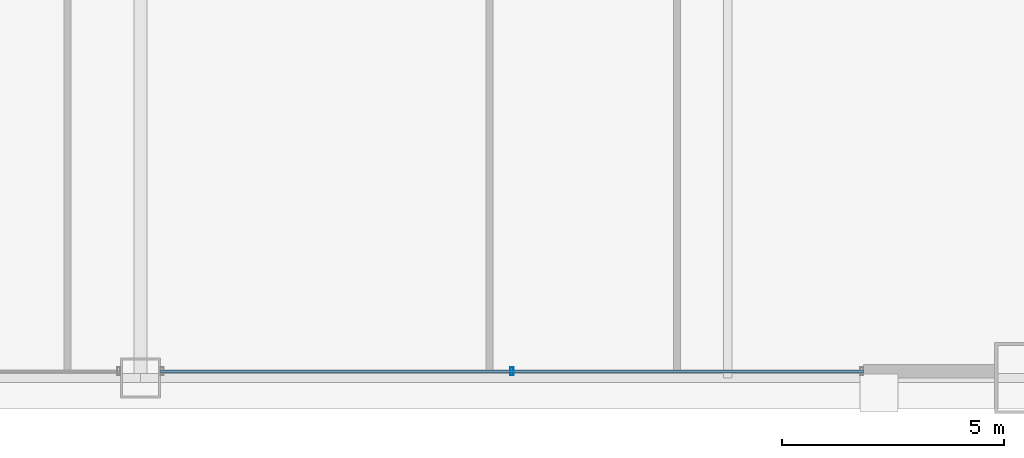
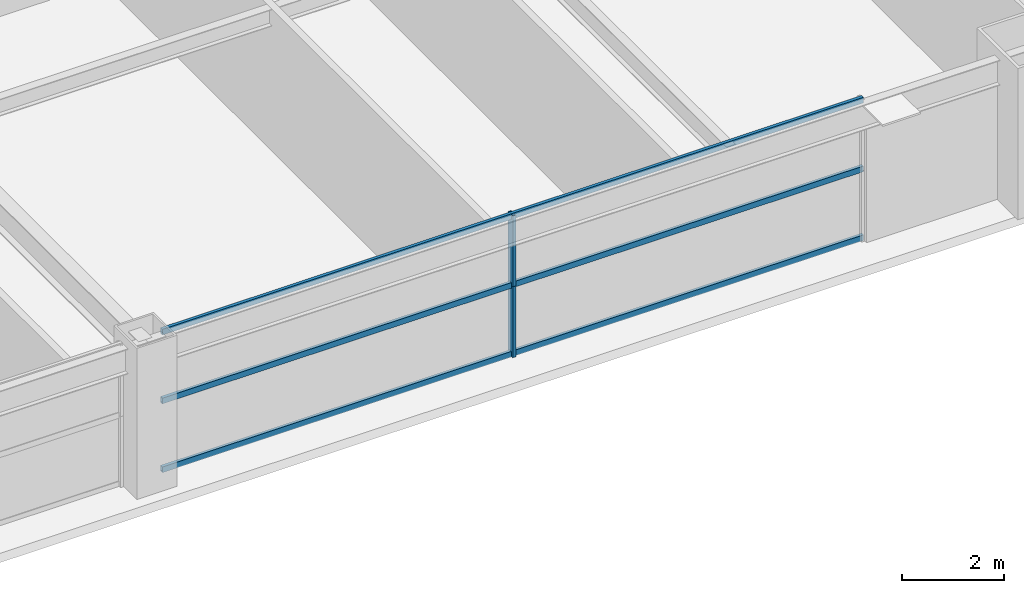
# One storey, part 14 of 39: 5 members, 1 element without a shape of its own.
"""IFC4 building model written with IfcOpenShell, lengths in metres."""

from ifc_helpers import new_model, si_unit, direction, frame, origin, origin_2d, place, context, subcontext, project, spatial, hollow_rectangle, extrude, source, transform, mapped, material, layer, layer_set, material_profile, profile_set, type_object, element, aggregate, save


model = new_model("IFC4")

# Units and contexts
model_context = context("Model", 3, precision=1e-05, world=origin(), true_north=direction((0.0, 1.0)))
body_context = subcontext(model_context, "Body", "Model", "MODEL_VIEW")
ifc_project = project(units=[si_unit("LENGTHUNIT", "METRE"), si_unit("AREAUNIT", "SQUARE_METRE"), si_unit("VOLUMEUNIT", "CUBIC_METRE"), si_unit("PLANEANGLEUNIT", "RADIAN"), si_unit("MASSUNIT", "GRAM", prefix="KILO"), si_unit("THERMODYNAMICTEMPERATUREUNIT", "KELVIN"), si_unit("POWERUNIT", "WATT")], contexts=[model_context])

# Site, building, storey
site_placement = place(None, origin())
site = spatial("IfcSite", under=ifc_project, at=site_placement, CompositionType="ELEMENT")
building_placement = place(site_placement, origin())
building = spatial("IfcBuilding", under=site, at=building_placement, Name="Yuzanri Waterfront Tower", CompositionType="ELEMENT")
storey_placement = place(building_placement, frame((0.0, 0.0, 148.800048828125)))
storey = spatial("IfcBuildingStorey", under=building, at=storey_placement, Name="L39", CompositionType="ELEMENT", Elevation=148.800048828125)

# Curtain wall, members
ifc_material_1 = material(Name="Anodized Architectural Bronze", Category="metal")
ifc_layer = layer(ifc_material_1, 0.159912109375)
ifc_layer_set = layer_set([ifc_layer], Name="Anodized Architectural Bronze")
curtain_wall_type = type_object("IfcCurtainWallType", Name="Anodized Bronze Hotel Upper-Tier Solar-Control Unitized Curtain Wall 7800", PredefinedType="NOTDEFINED", material=ifc_layer_set)
curtain_wall_placement = place(storey_placement, origin())
curtain_wall = element("IfcCurtainWall", 1, at=curtain_wall_placement, inside=storey, type_object=curtain_wall_type, Name="L39 Curtain Wall CW-L39-SR", PredefinedType="NOTDEFINED")
ifc_material_2 = material(Name="Anodized Architectural Bronze", Category="metal")
ifc_material_profile_1 = material_profile(ifc_material_2, hollow_rectangle(XDim=0.070068359375, YDim=0.179931640625, WallThickness=0.00390625, at=origin_2d()), Name="CWM 70x180")
ifc_profile_set_1 = profile_set([ifc_material_profile_1], Name="Anodized Architectural Bronze")
member_type_1 = type_object("IfcMemberType", Name="Anodized Bronze Standard Curtain-Wall Mullion 70x180", PredefinedType="MULLION", material=ifc_profile_set_1)
shared_shape_1 = source(origin(), body_context, "Body", "SweptSolid", [
    extrude(hollow_rectangle(XDim=0.070068359375, YDim=0.179931640625, WallThickness=0.00390625, at=origin_2d()), origin(), (0.0, 0.0, 1.0), 1.68798828125),
])
member_1_placement = place(storey_placement, frame((45.35009765625, 2.35009765625, 0.0), z_axis=(0.0, 0.0, 1.0), x_axis=(1.0, 0.0, 0.0)))
member_1 = element("IfcMember", 2, at=member_1_placement, type_object=member_type_1, Name="CW-L39-SR Lower Mullion 01", PredefinedType="MULLION", context=body_context, shape_type="MappedRepresentation", body=[
    mapped(shared_shape_1, transform((0.0, 0.0, 0.0), scale=1.0)),
])
member_2_placement = place(storey_placement, frame((45.35009765625, 2.35009765625, 1.69189453125), z_axis=(0.0, 0.0, 1.0), x_axis=(1.0, 0.0, 0.0)))
member_2 = element("IfcMember", 3, at=member_2_placement, type_object=member_type_1, Name="CW-L39-SR Upper Mullion 01", PredefinedType="MULLION", context=body_context, shape_type="MappedRepresentation", body=[
    mapped(shared_shape_1, transform((0.0, 0.0, 0.0), scale=1.0)),
])
ifc_material_3 = material(Name="Anodized Architectural Bronze", Category="metal")
ifc_material_profile_2 = material_profile(ifc_material_3, hollow_rectangle(XDim=0.070068359375, YDim=0.135009765625, WallThickness=0.00341796875, at=origin_2d()), Name="CWT 70x135")
ifc_profile_set_2 = profile_set([ifc_material_profile_2], Name="Anodized Architectural Bronze")
member_type_2 = type_object("IfcMemberType", Name="Anodized Bronze Standard Curtain-Wall Transom 70x135", PredefinedType="USERDEFINED", material=ifc_profile_set_2)
shared_shape_2 = source(origin(), body_context, "Body", "SweptSolid", [
    extrude(hollow_rectangle(XDim=0.070068359375, YDim=0.135009765625, WallThickness=0.00341796875, at=origin_2d()), origin(), (0.0, 0.0, 1.0), 15.800048828125),
])
member_3_placement = place(storey_placement, frame((37.449951171875, 2.35009765625, 0.050048828125), z_axis=(1.0, 0.0, 0.0), x_axis=(0.0, 1.0, 0.0)))
member_3 = element("IfcMember", 4, at=member_3_placement, type_object=member_type_2, Name="CW-L39-SR Transom 1", ObjectType="TRANSOM", PredefinedType="USERDEFINED", context=body_context, shape_type="MappedRepresentation", body=[
    mapped(shared_shape_2, transform((0.0, 0.0, 0.0), scale=1.0)),
])
member_4_placement = place(storey_placement, frame((37.449951171875, 2.35009765625, 1.68994140625), z_axis=(1.0, 0.0, 0.0), x_axis=(0.0, 1.0, 0.0)))
member_4 = element("IfcMember", 5, at=member_4_placement, type_object=member_type_2, Name="CW-L39-SR Transom 2", ObjectType="TRANSOM", PredefinedType="USERDEFINED", context=body_context, shape_type="MappedRepresentation", body=[
    mapped(shared_shape_2, transform((0.0, 0.0, 0.0), scale=1.0)),
])
member_5_placement = place(storey_placement, frame((37.449951171875, 2.35009765625, 3.329833984375), z_axis=(1.0, 0.0, 0.0), x_axis=(0.0, 1.0, 0.0)))
member_5 = element("IfcMember", 6, at=member_5_placement, type_object=member_type_2, Name="CW-L39-SR Transom 3", ObjectType="TRANSOM", PredefinedType="USERDEFINED", context=body_context, shape_type="MappedRepresentation", body=[
    mapped(shared_shape_2, transform((0.0, 0.0, 0.0), scale=1.0)),
])
aggregate(curtain_wall, [member_1, member_2, member_3, member_4, member_5])

save(model, "model.ifc")
